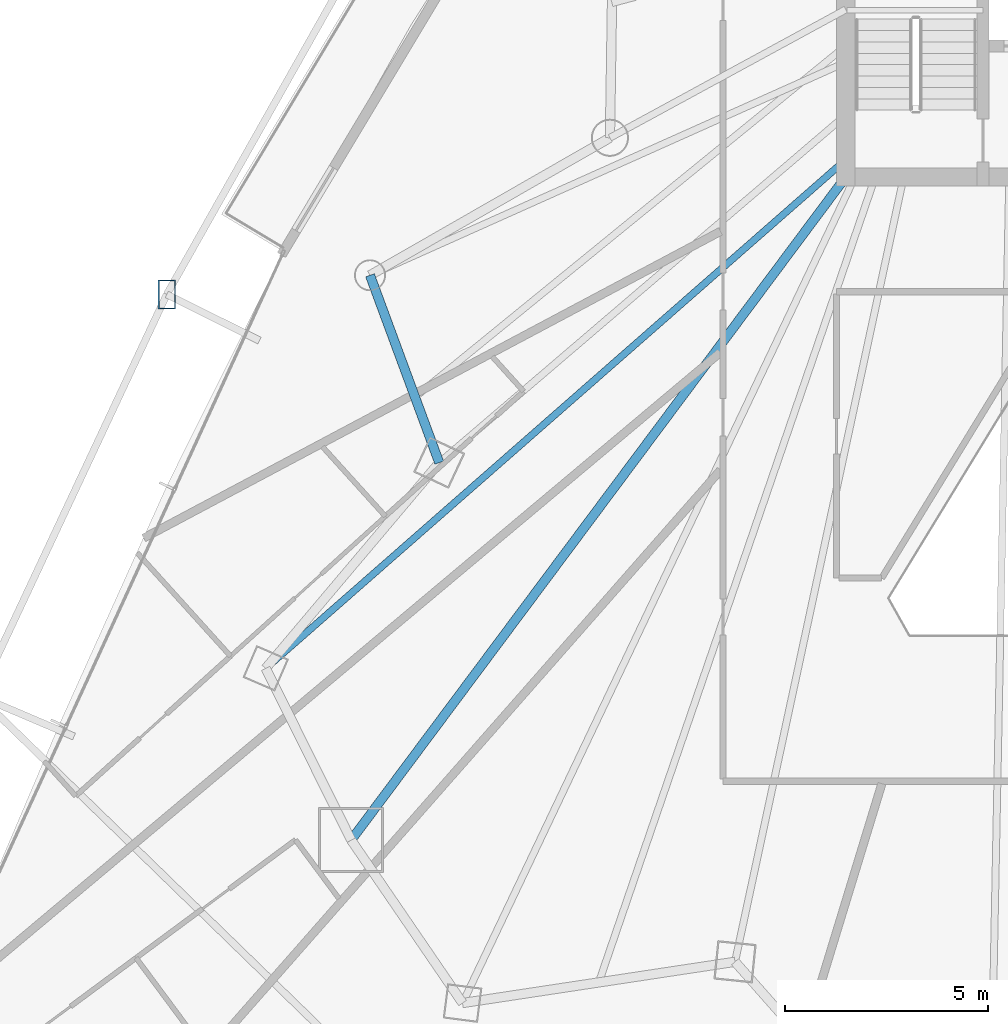
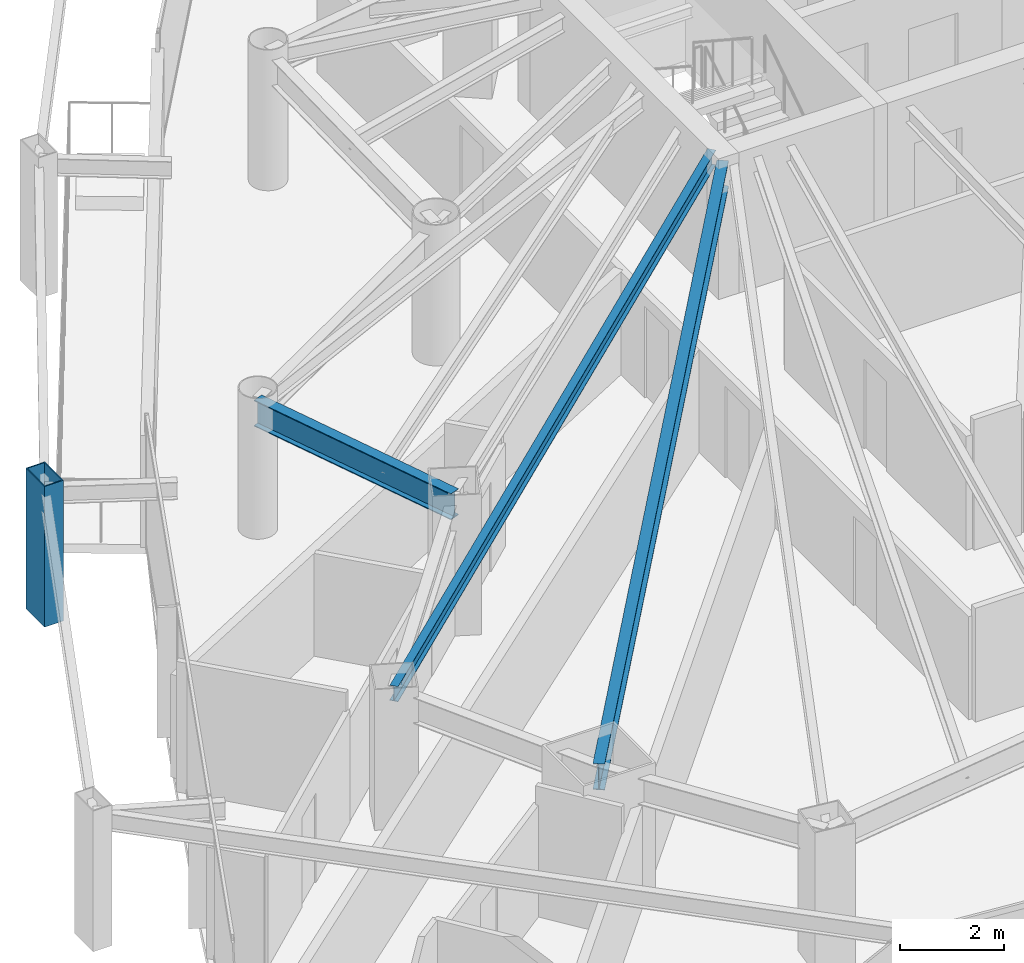
# One storey, part 10 of 38: 3 beams, 1 member.
"""IFC4 building model written with IfcOpenShell, lengths in metres."""

from ifc_helpers import new_model, si_unit, direction, frame, origin, origin_2d, place, context, subcontext, project, spatial, hollow_rectangle, i_section, extrude, material, material_profile, profile_set, type_object, element, save


model = new_model("IFC4")

# Units and contexts
model_context = context("Model", 3, precision=1e-05, world=origin(), true_north=direction((0.0, 1.0)))
body_context = subcontext(model_context, "Body", "Model", "MODEL_VIEW")
ifc_project = project(units=[si_unit("LENGTHUNIT", "METRE"), si_unit("AREAUNIT", "SQUARE_METRE"), si_unit("VOLUMEUNIT", "CUBIC_METRE"), si_unit("PLANEANGLEUNIT", "RADIAN"), si_unit("MASSUNIT", "GRAM", prefix="KILO")], contexts=[model_context])

# Site, building, storey
site_placement = place(None, origin())
site = spatial("IfcSite", under=ifc_project, at=site_placement, CompositionType="ELEMENT")
building_placement = place(site_placement, origin())
building = spatial("IfcBuilding", under=site, at=building_placement, Name="Orvanel Arch Residences", CompositionType="ELEMENT")
storey_placement = place(building_placement, frame((0.0, 0.0, 46.699951171875)))
storey = spatial("IfcBuildingStorey", under=building, at=storey_placement, Name="L12", CompositionType="ELEMENT", Elevation=46.699951171875)

# Beams
ifc_material_1 = material(Name="Structural steel AS/NZS 3679.1 Grade 300 (300 MPa)", Category="steel")
ifc_material_profile_1 = material_profile(ifc_material_1, i_section(OverallWidth=0.22900390625, OverallDepth=0.612060546875, WebThickness=0.011962890625, FlangeThickness=0.01953125, at=origin_2d()), Name="610UB125")
ifc_profile_set_1 = profile_set([ifc_material_profile_1], Name="Structural steel AS/NZS 3679.1 Grade 300 (300 MPa)")
beam_type_1 = type_object("IfcBeamType", Name="BG-610UB", PredefinedType="BEAM", material=ifc_profile_set_1)
beam_1_placement = place(storey_placement, frame((26.375, 26.675048828125, 2.754150390625), z_axis=(-0.597893733742, -0.801575375839, 0.0), x_axis=(0.801575375839, -0.597893733742, 0.0)))
element("IfcBeam", 1, at=beam_1_placement, inside=storey, type_object=beam_type_1, Name="L12 South-West Radial Girder", PredefinedType="BEAM", context=body_context, shape_type="SweptSolid", body=[
    extrude(i_section(OverallWidth=0.22900390625, OverallDepth=0.612060546875, WebThickness=0.011962890625, FlangeThickness=0.01953125, at=origin_2d()), origin(), (0.0, 0.0, 1.0), 20.36474609375),
])
ifc_material_profile_2 = material_profile(ifc_material_1, i_section(OverallWidth=0.1708984375, OverallDepth=0.35595703125, WebThickness=0.00732421875, FlangeThickness=0.011474609375, at=origin_2d()), Name="360UB50.7")
ifc_profile_set_2 = profile_set([ifc_material_profile_2], Name="Structural steel AS/NZS 3679.1 Grade 300 (300 MPa)")
beam_type_2 = type_object("IfcBeamType", Name="BJ-360UB", PredefinedType="JOIST", material=ifc_profile_set_2)
beam_2_placement = place(storey_placement, frame((26.375, 27.10009765625, 2.882080078125), z_axis=(-0.751924114057, -0.659249669472, 0.0), x_axis=(0.659249669472, -0.751924114057, 0.0)))
element("IfcBeam", 2, at=beam_2_placement, inside=storey, type_object=beam_type_2, Name="L12 MW Wing Floor Joist", PredefinedType="JOIST", context=body_context, shape_type="SweptSolid", body=[
    extrude(i_section(OverallWidth=0.1708984375, OverallDepth=0.35595703125, WebThickness=0.00732421875, FlangeThickness=0.011474609375, at=origin_2d()), origin(), (0.0, 0.0, 1.0), 18.9912109375),
])

# Member
ifc_material_2 = material(Name="Structural steel AS/NZS 3678 Grade 350", Category="steel")
ifc_material_profile_3 = material_profile(ifc_material_2, hollow_rectangle(XDim=0.419921875, YDim=0.719970703125, WallThickness=0.02490234375, at=origin_2d()), Name="RHS720x420x25")
ifc_profile_set_3 = profile_set([ifc_material_profile_3], Name="Structural steel AS/NZS 3678 Grade 350")
member_type = type_object("IfcMemberType", Name="CH-720RHS-EXT", PredefinedType="CHORD", material=ifc_profile_set_3)
member_placement = place(storey_placement, frame((9.658935546875, 23.784912109375, 0.0), z_axis=(0.0, 0.0, 1.0), x_axis=(1.0, 0.0, 0.0)))
element("IfcMember", 3, at=member_placement, inside=storey, type_object=member_type, Name="L12 Outer Perimeter Frame Post 03", PredefinedType="CHORD", context=body_context, shape_type="SweptSolid", body=[
    extrude(hollow_rectangle(XDim=0.419921875, YDim=0.719970703125, WallThickness=0.02490234375, at=origin_2d()), origin(), (0.0, 0.0, 1.0), 3.300048828125),
])

# Beam
ifc_material_profile_4 = material_profile(ifc_material_1, i_section(OverallWidth=0.22900390625, OverallDepth=0.612060546875, WebThickness=0.011962890625, FlangeThickness=0.01953125, at=origin_2d()), Name="610UB125")
ifc_profile_set_4 = profile_set([ifc_material_profile_4], Name="Structural steel AS/NZS 3679.1 Grade 300 (300 MPa)")
beam_type_3 = type_object("IfcBeamType", Name="SP-610UB", PredefinedType="SPANDREL", material=ifc_profile_set_4)
beam_3_placement = place(storey_placement, frame((14.662109375, 24.256103515625, 2.754150390625), z_axis=(0.346588434017, -0.938017301229, 0.0), x_axis=(0.938017301229, 0.346588434017, 0.0)))
element("IfcBeam", 4, at=beam_3_placement, inside=storey, type_object=beam_type_3, Name="L12 Perimeter Spandrel Beam 22", PredefinedType="SPANDREL", context=body_context, shape_type="SweptSolid", body=[
    extrude(i_section(OverallWidth=0.22900390625, OverallDepth=0.612060546875, WebThickness=0.011962890625, FlangeThickness=0.01953125, at=origin_2d()), origin(), (0.0, 0.0, 1.0), 4.9189453125),
])

save(model, "model.ifc")
